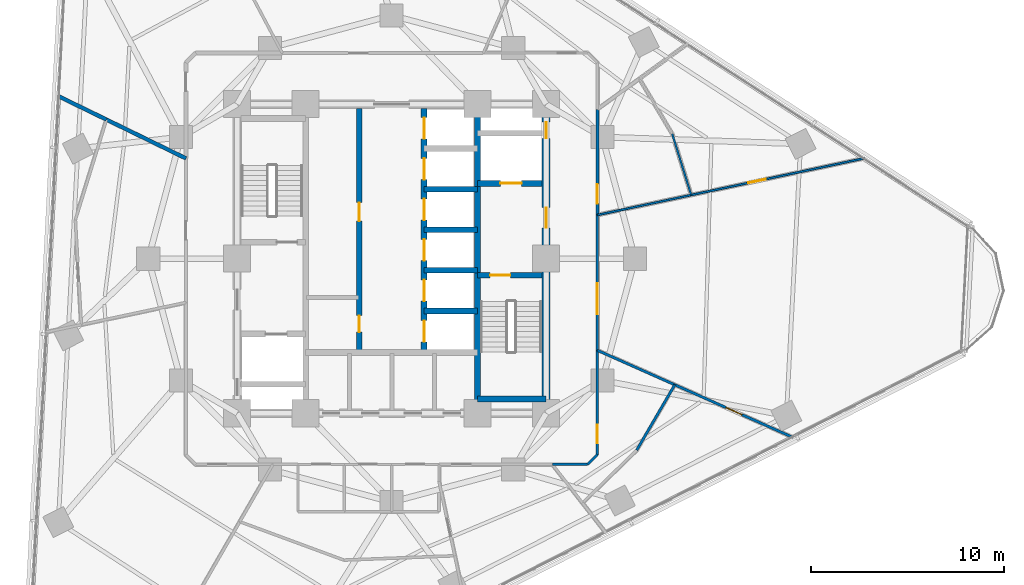
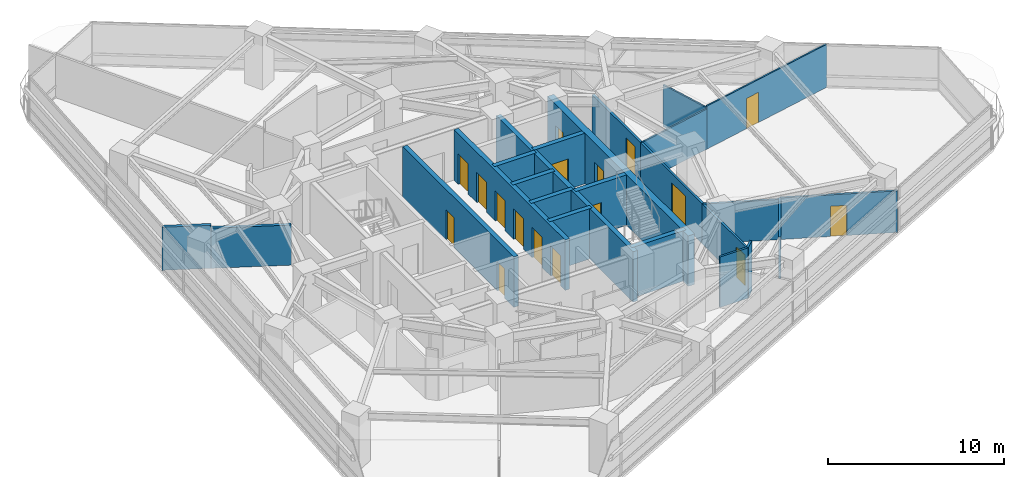
# One storey, part 9 of 14: 24 walls, 17 doors, 17 openings.
"""IFC4 building model written with IfcOpenShell, lengths in metres."""

from ifc_helpers import new_model, si_unit, direction, frame, frame_2d, origin, place, context, subcontext, project, spatial, rectangle, extrude, material, layer, layer_set, type_object, element, fill, save


model = new_model("IFC4")

# Units and contexts
model_context = context("Model", 3, precision=1e-05, world=origin(), true_north=direction((0.0, 1.0)))
body_context = subcontext(model_context, "Body", "Model", "MODEL_VIEW")
ifc_project = project(units=[si_unit("LENGTHUNIT", "METRE"), si_unit("AREAUNIT", "SQUARE_METRE"), si_unit("VOLUMEUNIT", "CUBIC_METRE"), si_unit("PLANEANGLEUNIT", "RADIAN"), si_unit("MASSUNIT", "GRAM", prefix="KILO")], contexts=[model_context])

# Site, building, storey
site_placement = place(None, origin())
site = spatial("IfcSite", under=ifc_project, at=site_placement, CompositionType="ELEMENT")
building_placement = place(site_placement, origin())
building = spatial("IfcBuilding", under=site, at=building_placement, Name="Terralouvre Media Tower", CompositionType="ELEMENT")
storey_placement = place(building_placement, frame((0.0, 0.0, 142.10009765625)))
storey = spatial("IfcBuildingStorey", under=building, at=storey_placement, Name="L36", CompositionType="ELEMENT", Elevation=142.10009765625)

# Wall
ifc_material_1 = material(Name="Concrete C50/60", Category="concrete")
ifc_layer_1 = layer(ifc_material_1, 0.300048828125, Name="Core Internal Shaft Wall CW-300")
ifc_layer_set_1 = layer_set([ifc_layer_1], Name="Concrete C50/60")
wall_type_1 = type_object("IfcWallType", Name="Core Internal Shaft Wall CW-300", PredefinedType="SHEAR", material=ifc_layer_set_1)
wall_1_placement = place(storey_placement, frame((4.449951171875, -7.7900390625, 0.0), z_axis=(0.0, 0.0, 1.0), x_axis=(0.0, 1.0, 0.0)))
element("IfcWall", 1, at=wall_1_placement, inside=storey, type_object=wall_type_1, Name="L36 Core Shaft Wall SPE", PredefinedType="SHEAR", context=body_context, shape_type="SweptSolid", body=[
    extrude(rectangle(XDim=15.580078125, YDim=0.300048828125, at=frame_2d((7.7900390625, 0.0))), origin(), (0.0, 0.0, 1.0), 3.5),
])

# Wall, opening, door
wall_2_placement = place(storey_placement, frame((4.449951171875, -0.85009765625, 0.0), z_axis=(0.0, 0.0, 1.0), x_axis=(1.0, 0.0, 0.0)))
wall_2 = element("IfcWall", 2, at=wall_2_placement, inside=storey, type_object=wall_type_1, Name="L36 Core Shaft Wall ST2D", PredefinedType="SHEAR", context=body_context, shape_type="SweptSolid", body=[
    extrude(rectangle(XDim=3.340087890625, YDim=0.300048828125, at=frame_2d((1.669921875, 0.0))), origin(), (0.0, 0.0, 1.0), 3.5),
])
opening_1_placement = place(wall_2_placement, frame((0.64990234375, 0.0, 0.0)))
opening_1 = element("IfcOpeningElement", 3, at=opening_1_placement, cuts=wall_2, Name="Opening FD-01-105X215", PredefinedType="OPENING", context=body_context, shape_type="SweptSolid", body=[
    extrude(rectangle(XDim=1.050048828125, YDim=2.14990234375, at=frame_2d((0.52490234375, 1.074951171875))), frame((0.0, 0.159912109375, 0.0), z_axis=(0.0, -1.0, 0.0), x_axis=(1.0, 0.0, 0.0)), (0.0, 0.0, 1.0), 0.320068359375),
])
ifc_material_2 = material(Name="Galvanised steel fire-resisting leaf", Category="steel")
door_type_1 = type_object("IfcDoorType", Name="Stair and Firefighting Lobby Fire Door FD-01 (1050x2150)", OperationType="NOTDEFINED", PredefinedType="DOOR", material=ifc_material_2)
door_1_placement = place(opening_1_placement, origin())
door_1 = element("IfcDoor", 4, at=door_1_placement, inside=storey, type_object=door_type_1, Name="L36 ST-02 Exit Stair Door", OperationType="SINGLE_SWING_RIGHT", OverallHeight=2.14990234375, OverallWidth=1.050048828125, PredefinedType="DOOR", context=body_context, shape_type="SweptSolid", body=[
    extrude(rectangle(XDim=1.050048828125, YDim=2.14990234375, at=frame_2d((0.52490234375, 1.074951171875))), frame((0.0, 0.02490234375, 0.0), z_axis=(0.0, -1.0, 0.0), x_axis=(1.0, 0.0, 0.0)), (0.0, 0.0, 1.0), 0.050048828125),
])
fill(opening_1, door_1)

# Wall
wall_3_placement = place(storey_placement, frame((4.449951171875, -7.260009765625, 0.0), z_axis=(0.0, 0.0, 1.0), x_axis=(1.0, 0.0, 0.0)))
element("IfcWall", 5, at=wall_3_placement, inside=storey, type_object=wall_type_1, Name="L36 Core Shaft Wall ST2F", PredefinedType="SHEAR", context=body_context, shape_type="SweptSolid", body=[
    extrude(rectangle(XDim=3.550048828125, YDim=0.300048828125, at=frame_2d((1.77490234375, 0.0))), origin(), (0.0, 0.0, 1.0), 3.5),
])

# Wall, opening, door
wall_4_placement = place(storey_placement, frame((4.449951171875, 3.89990234375, 0.0), z_axis=(0.0, 0.0, 1.0), x_axis=(1.0, 0.0, 0.0)))
wall_4 = element("IfcWall", 6, at=wall_4_placement, inside=storey, type_object=wall_type_1, Name="L36 Core Shaft Wall FF2S", PredefinedType="SHEAR", context=body_context, shape_type="SweptSolid", body=[
    extrude(rectangle(XDim=3.340087890625, YDim=0.300048828125, at=frame_2d((1.669921875, 0.0))), origin(), (0.0, 0.0, 1.0), 3.5),
])
opening_2_placement = place(wall_4_placement, frame((1.179931640625, 0.0, 0.0)))
opening_2 = element("IfcOpeningElement", 7, at=opening_2_placement, cuts=wall_4, Name="Opening LD-FF", PredefinedType="OPENING", context=body_context, shape_type="SweptSolid", body=[
    extrude(rectangle(XDim=1.10009765625, YDim=2.10009765625, at=frame_2d((0.550048828125, 1.050048828125))), frame((0.0, 0.159912109375, 0.0), z_axis=(0.0, -1.0, 0.0), x_axis=(1.0, 0.0, 0.0)), (0.0, 0.0, 1.0), 0.320068359375),
])
ifc_material_3 = material(Name="Stainless steel 316 handrail and balustrade", Category="steel")
door_type_2 = type_object("IfcDoorType", Name="Firefighting Lift Sliding Landing Door LD-FF", OperationType="SLIDING_TO_LEFT", PredefinedType="DOOR", material=ifc_material_3)
door_2_placement = place(opening_2_placement, origin())
door_2 = element("IfcDoor", 8, at=door_2_placement, inside=storey, type_object=door_type_2, Name="L36 Firefighting Lift FFL-02 Landing Door", OperationType="SLIDING_TO_LEFT", OverallHeight=2.10009765625, OverallWidth=1.10009765625, PredefinedType="DOOR", context=body_context, shape_type="SweptSolid", body=[
    extrude(rectangle(XDim=1.10009765625, YDim=2.10009765625, at=frame_2d((0.550048828125, 1.050048828125))), frame((0.0, 0.02490234375, 0.0), z_axis=(0.0, -1.0, 0.0), x_axis=(1.0, 0.0, 0.0)), (0.0, 0.0, 1.0), 0.050048828125),
])
fill(opening_2, door_2)

# Wall, openings, doors
wall_5_placement = place(storey_placement, frame((-1.679931640625, -4.85009765625, 0.0), z_axis=(0.0, 0.0, 1.0), x_axis=(0.0, 1.0, 0.0)))
wall_5 = element("IfcWall", 9, at=wall_5_placement, inside=storey, type_object=wall_type_1, Name="L36 Core Shaft Wall LBW", PredefinedType="SHEAR", context=body_context, shape_type="SweptSolid", body=[
    extrude(rectangle(XDim=12.64013671875, YDim=0.300048828125, at=frame_2d((6.320068359375, 0.0))), origin(), (0.0, 0.0, 1.0), 3.5),
])
opening_3_placement = place(wall_5_placement, frame((1.050048828125, 0.0, 0.0)))
opening_3 = element("IfcOpeningElement", 10, at=opening_3_placement, cuts=wall_5, Name="Opening TD-R1", PredefinedType="OPENING", context=body_context, shape_type="SweptSolid", body=[
    extrude(rectangle(XDim=0.85009765625, YDim=2.02001953125, at=frame_2d((0.425048828125, 1.010009765625))), frame((0.0, 0.159912109375, 0.0), z_axis=(0.0, -1.0, 0.0), x_axis=(1.0, 0.0, 0.0)), (0.0, 0.0, 1.0), 0.320068359375),
])
opening_4_placement = place(wall_5_placement, frame((6.800048828125, 0.0, 0.0)))
opening_4 = element("IfcOpeningElement", 11, at=opening_4_placement, cuts=wall_5, Name="Opening FD-02-95X210", PredefinedType="OPENING", context=body_context, shape_type="SweptSolid", body=[
    extrude(rectangle(XDim=0.949951171875, YDim=2.10009765625, at=frame_2d((0.47509765625, 1.050048828125))), frame((0.0, 0.159912109375, 0.0), z_axis=(0.0, -1.0, 0.0), x_axis=(1.0, 0.0, 0.0)), (0.0, 0.0, 1.0), 0.320068359375),
])
ifc_material_4 = material(Name="Galvanised steel fire-resisting leaf", Category="steel")
door_type_3 = type_object("IfcDoorType", Name="Plant and Riser Fire Door FD-02 (950x2100)", OperationType="NOTDEFINED", PredefinedType="DOOR", material=ifc_material_4)
door_3_placement = place(opening_4_placement, origin())
door_3 = element("IfcDoor", 12, at=door_3_placement, inside=storey, type_object=door_type_3, Name="L36 Core Patch Rack Plant Door", OperationType="SINGLE_SWING_RIGHT", OverallHeight=2.10009765625, OverallWidth=0.949951171875, PredefinedType="DOOR", context=body_context, shape_type="SweptSolid", body=[
    extrude(rectangle(XDim=0.949951171875, YDim=2.10009765625, at=frame_2d((0.47509765625, 1.050048828125))), frame((0.0, 0.02490234375, 0.0), z_axis=(0.0, -1.0, 0.0), x_axis=(1.0, 0.0, 0.0)), (0.0, 0.0, 1.0), 0.050048828125),
])
fill(opening_4, door_3)
ifc_material_5 = material(Name="Galvanised steel fire-resisting leaf", Category="steel")
door_type_4 = type_object("IfcDoorType", Name="Riser Inspection Access Trapdoor TD-R1", OperationType="NOTDEFINED", PredefinedType="TRAPDOOR", material=ifc_material_5)
door_4_placement = place(opening_3_placement, origin())
door_4 = element("IfcDoor", 13, at=door_4_placement, inside=storey, type_object=door_type_4, Name="L36 Core Cleaners Store Door", OperationType="SINGLE_SWING_LEFT", OverallHeight=2.02001953125, OverallWidth=0.85009765625, PredefinedType="TRAPDOOR", context=body_context, shape_type="SweptSolid", body=[
    extrude(rectangle(XDim=0.85009765625, YDim=2.02001953125, at=frame_2d((0.425048828125, 1.010009765625))), frame((0.0, 0.02490234375, 0.0), z_axis=(0.0, -1.0, 0.0), x_axis=(1.0, 0.0, 0.0)), (0.0, 0.0, 1.0), 0.050048828125),
])
fill(opening_3, door_4)

wall_6_placement = place(storey_placement, frame((1.679931640625, -4.85009765625, 0.0), z_axis=(0.0, 0.0, 1.0), x_axis=(0.0, 1.0, 0.0)))
wall_6 = element("IfcWall", 14, at=wall_6_placement, inside=storey, type_object=wall_type_1, Name="L36 Core Shaft Wall LBE", PredefinedType="SHEAR", context=body_context, shape_type="SweptSolid", body=[
    extrude(rectangle(XDim=12.64013671875, YDim=0.300048828125, at=frame_2d((6.320068359375, 0.0))), origin(), (0.0, 0.0, 1.0), 3.5),
])
opening_5_placement = place(wall_6_placement, frame((0.550048828125, 0.0, 0.0)))
opening_5 = element("IfcOpeningElement", 15, at=opening_5_placement, cuts=wall_6, Name="Opening LD-PL", PredefinedType="OPENING", context=body_context, shape_type="SweptSolid", body=[
    extrude(rectangle(XDim=1.10009765625, YDim=2.10009765625, at=frame_2d((0.550048828125, 1.050048828125))), frame((0.0, 0.159912109375, 0.0), z_axis=(0.0, -1.0, 0.0), x_axis=(1.0, 0.0, 0.0)), (0.0, 0.0, 1.0), 0.320068359375),
])
opening_6_placement = place(wall_6_placement, frame((2.64990234375, 0.0, 0.0)))
opening_6 = element("IfcOpeningElement", 16, at=opening_6_placement, cuts=wall_6, Name="Opening LD-PL", PredefinedType="OPENING", context=body_context, shape_type="SweptSolid", body=[
    extrude(rectangle(XDim=1.10009765625, YDim=2.10009765625, at=frame_2d((0.550048828125, 1.050048828125))), frame((0.0, 0.159912109375, 0.0), z_axis=(0.0, -1.0, 0.0), x_axis=(1.0, 0.0, 0.0)), (0.0, 0.0, 1.0), 0.320068359375),
])
opening_7_placement = place(wall_6_placement, frame((4.75, 0.0, 0.0)))
opening_7 = element("IfcOpeningElement", 17, at=opening_7_placement, cuts=wall_6, Name="Opening LD-PL", PredefinedType="OPENING", context=body_context, shape_type="SweptSolid", body=[
    extrude(rectangle(XDim=1.10009765625, YDim=2.10009765625, at=frame_2d((0.550048828125, 1.050048828125))), frame((0.0, 0.159912109375, 0.0), z_axis=(0.0, -1.0, 0.0), x_axis=(1.0, 0.0, 0.0)), (0.0, 0.0, 1.0), 0.320068359375),
])
opening_8_placement = place(wall_6_placement, frame((6.85009765625, 0.0, 0.0)))
opening_8 = element("IfcOpeningElement", 18, at=opening_8_placement, cuts=wall_6, Name="Opening LD-PL", PredefinedType="OPENING", context=body_context, shape_type="SweptSolid", body=[
    extrude(rectangle(XDim=1.10009765625, YDim=2.10009765625, at=frame_2d((0.550048828125, 1.050048828125))), frame((0.0, 0.159912109375, 0.0), z_axis=(0.0, -1.0, 0.0), x_axis=(1.0, 0.0, 0.0)), (0.0, 0.0, 1.0), 0.320068359375),
])
opening_9_placement = place(wall_6_placement, frame((8.949951171875, 0.0, 0.0)))
opening_9 = element("IfcOpeningElement", 19, at=opening_9_placement, cuts=wall_6, Name="Opening LD-PL", PredefinedType="OPENING", context=body_context, shape_type="SweptSolid", body=[
    extrude(rectangle(XDim=1.10009765625, YDim=2.10009765625, at=frame_2d((0.550048828125, 1.050048828125))), frame((0.0, 0.159912109375, 0.0), z_axis=(0.0, -1.0, 0.0), x_axis=(1.0, 0.0, 0.0)), (0.0, 0.0, 1.0), 0.320068359375),
])
opening_10_placement = place(wall_6_placement, frame((11.050048828125, 0.0, 0.0)))
opening_10 = element("IfcOpeningElement", 20, at=opening_10_placement, cuts=wall_6, Name="Opening LD-PL", PredefinedType="OPENING", context=body_context, shape_type="SweptSolid", body=[
    extrude(rectangle(XDim=1.10009765625, YDim=2.10009765625, at=frame_2d((0.550048828125, 1.050048828125))), frame((0.0, 0.159912109375, 0.0), z_axis=(0.0, -1.0, 0.0), x_axis=(1.0, 0.0, 0.0)), (0.0, 0.0, 1.0), 0.320068359375),
])
ifc_material_6 = material(Name="Stainless steel 316 handrail and balustrade", Category="steel")
door_type_5 = type_object("IfcDoorType", Name="Passenger Lift Sliding Landing Door LD-PL", OperationType="SLIDING_TO_LEFT", PredefinedType="DOOR", material=ifc_material_6)
door_5_placement = place(opening_5_placement, origin())
door_5 = element("IfcDoor", 21, at=door_5_placement, inside=storey, type_object=door_type_5, Name="L36 High-Rise Lift PL-H1 Landing Door", OperationType="SLIDING_TO_LEFT", OverallHeight=2.10009765625, OverallWidth=1.10009765625, PredefinedType="DOOR", context=body_context, shape_type="SweptSolid", body=[
    extrude(rectangle(XDim=1.10009765625, YDim=2.10009765625, at=frame_2d((0.550048828125, 1.050048828125))), frame((0.0, 0.02490234375, 0.0), z_axis=(0.0, -1.0, 0.0), x_axis=(1.0, 0.0, 0.0)), (0.0, 0.0, 1.0), 0.050048828125),
])
fill(opening_5, door_5)
door_6_placement = place(opening_6_placement, origin())
door_6 = element("IfcDoor", 22, at=door_6_placement, inside=storey, type_object=door_type_5, Name="L36 High-Rise Lift PL-H2 Landing Door", OperationType="SLIDING_TO_LEFT", OverallHeight=2.10009765625, OverallWidth=1.10009765625, PredefinedType="DOOR", context=body_context, shape_type="SweptSolid", body=[
    extrude(rectangle(XDim=1.10009765625, YDim=2.10009765625, at=frame_2d((0.550048828125, 1.050048828125))), frame((0.0, 0.02490234375, 0.0), z_axis=(0.0, -1.0, 0.0), x_axis=(1.0, 0.0, 0.0)), (0.0, 0.0, 1.0), 0.050048828125),
])
fill(opening_6, door_6)
door_7_placement = place(opening_7_placement, origin())
door_7 = element("IfcDoor", 23, at=door_7_placement, inside=storey, type_object=door_type_5, Name="L36 High-Rise Lift PL-H3 Landing Door", OperationType="SLIDING_TO_LEFT", OverallHeight=2.10009765625, OverallWidth=1.10009765625, PredefinedType="DOOR", context=body_context, shape_type="SweptSolid", body=[
    extrude(rectangle(XDim=1.10009765625, YDim=2.10009765625, at=frame_2d((0.550048828125, 1.050048828125))), frame((0.0, 0.02490234375, 0.0), z_axis=(0.0, -1.0, 0.0), x_axis=(1.0, 0.0, 0.0)), (0.0, 0.0, 1.0), 0.050048828125),
])
fill(opening_7, door_7)
door_8_placement = place(opening_8_placement, origin())
door_8 = element("IfcDoor", 24, at=door_8_placement, inside=storey, type_object=door_type_5, Name="L36 Mid-Rise Lift PL-M1 Landing Door", OperationType="SLIDING_TO_LEFT", OverallHeight=2.10009765625, OverallWidth=1.10009765625, PredefinedType="DOOR", context=body_context, shape_type="SweptSolid", body=[
    extrude(rectangle(XDim=1.10009765625, YDim=2.10009765625, at=frame_2d((0.550048828125, 1.050048828125))), frame((0.0, 0.02490234375, 0.0), z_axis=(0.0, -1.0, 0.0), x_axis=(1.0, 0.0, 0.0)), (0.0, 0.0, 1.0), 0.050048828125),
])
fill(opening_8, door_8)
door_9_placement = place(opening_9_placement, origin())
door_9 = element("IfcDoor", 25, at=door_9_placement, inside=storey, type_object=door_type_5, Name="L36 Mid-Rise Lift PL-M2 Landing Door", OperationType="SLIDING_TO_LEFT", OverallHeight=2.10009765625, OverallWidth=1.10009765625, PredefinedType="DOOR", context=body_context, shape_type="SweptSolid", body=[
    extrude(rectangle(XDim=1.10009765625, YDim=2.10009765625, at=frame_2d((0.550048828125, 1.050048828125))), frame((0.0, 0.02490234375, 0.0), z_axis=(0.0, -1.0, 0.0), x_axis=(1.0, 0.0, 0.0)), (0.0, 0.0, 1.0), 0.050048828125),
])
fill(opening_9, door_9)
door_10_placement = place(opening_10_placement, origin())
door_10 = element("IfcDoor", 26, at=door_10_placement, inside=storey, type_object=door_type_5, Name="L36 Mid-Rise Lift PL-M3 Landing Door", OperationType="SLIDING_TO_LEFT", OverallHeight=2.10009765625, OverallWidth=1.10009765625, PredefinedType="DOOR", context=body_context, shape_type="SweptSolid", body=[
    extrude(rectangle(XDim=1.10009765625, YDim=2.10009765625, at=frame_2d((0.550048828125, 1.050048828125))), frame((0.0, 0.02490234375, 0.0), z_axis=(0.0, -1.0, 0.0), x_axis=(1.0, 0.0, 0.0)), (0.0, 0.0, 1.0), 0.050048828125),
])
fill(opening_10, door_10)

# Walls
for number, where, z_axis, x_axis, name in (
    (27, (1.679931640625, 1.5, 0.0), (0.0, 0.0, 1.0), (1.0, 0.0, 0.0), "L36 Core Shaft Wall PLMD0"),
    (28, (1.679931640625, 3.60009765625, 0.0), (0.0, 0.0, 1.0), (1.0, 0.0, 0.0), "L36 Core Shaft Wall PLMD1"),
    (29, (1.679931640625, -2.699951171875, 0.0), (0.0, 0.0, 1.0), (1.0, 0.0, 0.0), "L36 Core Shaft Wall PLHD1"),
    (30, (1.679931640625, -0.60009765625, 0.0), (0.0, 0.0, 1.0), (1.0, 0.0, 0.0), "L36 Core Shaft Wall PLHD2"),
):
    element("IfcWall", number, at=place(storey_placement, frame(where, z_axis=z_axis, x_axis=x_axis)), inside=storey, type_object=wall_type_1, Name=name, PredefinedType="SHEAR", context=body_context, shape_type="SweptSolid", body=[
        extrude(rectangle(XDim=2.77001953125, YDim=0.300048828125, at=frame_2d((1.385009765625, 0.0))), origin(), (0.0, 0.0, 1.0), 3.5),
    ])

# Wall, openings, doors
ifc_material_7 = material(Name="Concrete C60/75", Category="concrete")
ifc_layer_2 = layer(ifc_material_7, 0.419921875, Name="Core Reinforced Concrete Shear Wall CW-420")
ifc_layer_set_2 = layer_set([ifc_layer_2], Name="Concrete C60/75")
wall_type_2 = type_object("IfcWallType", Name="Core Reinforced Concrete Shear Wall CW-420", PredefinedType="SHEAR", material=ifc_layer_set_2)
wall_7_placement = place(storey_placement, frame((8.0, -8.0, 0.0), z_axis=(0.0, 0.0, 1.0), x_axis=(0.0, 1.0, 0.0)))
wall_7 = element("IfcWall", 31, at=wall_7_placement, inside=storey, type_object=wall_type_2, Name="L36 E Core Shear Wall", PredefinedType="SHEAR", context=body_context, shape_type="SweptSolid", body=[
    extrude(rectangle(XDim=16.0, YDim=0.419921875, at=frame_2d((8.0, 0.0))), origin(), (0.0, 0.0, 1.0), 3.5),
])
opening_11_placement = place(wall_7_placement, frame((9.60009765625, 0.0, 0.0)))
opening_11 = element("IfcOpeningElement", 32, at=opening_11_placement, cuts=wall_7, Name="Opening FD-01-105X215", PredefinedType="OPENING", context=body_context, shape_type="SweptSolid", body=[
    extrude(rectangle(XDim=1.050048828125, YDim=2.14990234375, at=frame_2d((0.52490234375, 1.074951171875))), frame((0.0, 0.219970703125, 0.0), z_axis=(0.0, -1.0, 0.0), x_axis=(1.0, 0.0, 0.0)), (0.0, 0.0, 1.0), 0.43994140625),
])
opening_12_placement = place(wall_7_placement, frame((14.228515625, 0.0, 0.0)))
opening_12 = element("IfcOpeningElement", 33, at=opening_12_placement, cuts=wall_7, Name="Opening TD-R1", PredefinedType="OPENING", context=body_context, shape_type="SweptSolid", body=[
    extrude(rectangle(XDim=0.85009765625, YDim=2.02001953125, at=frame_2d((0.425048828125, 1.010009765625))), frame((0.0, 0.219970703125, 0.0), z_axis=(0.0, -1.0, 0.0), x_axis=(1.0, 0.0, 0.0)), (0.0, 0.0, 1.0), 0.43994140625),
])
door_11_placement = place(opening_12_placement, origin())
door_11 = element("IfcDoor", 34, at=door_11_placement, inside=storey, type_object=door_type_4, Name="L36 East Comms Riser Access Trapdoor", OperationType="SINGLE_SWING_RIGHT", OverallHeight=2.02001953125, OverallWidth=0.85009765625, PredefinedType="TRAPDOOR", context=body_context, shape_type="SweptSolid", body=[
    extrude(rectangle(XDim=0.85009765625, YDim=2.02001953125, at=frame_2d((0.425048828125, 1.010009765625))), frame((0.0, 0.02490234375, 0.0), z_axis=(0.0, -1.0, 0.0), x_axis=(1.0, 0.0, 0.0)), (0.0, 0.0, 1.0), 0.050048828125),
])
fill(opening_12, door_11)
door_12_placement = place(opening_11_placement, origin())
door_12 = element("IfcDoor", 35, at=door_12_placement, inside=storey, type_object=door_type_1, Name="L36 East Firefighting Lobby Entry Door", OperationType="SINGLE_SWING_LEFT", OverallHeight=2.14990234375, OverallWidth=1.050048828125, PredefinedType="DOOR", context=body_context, shape_type="SweptSolid", body=[
    extrude(rectangle(XDim=1.050048828125, YDim=2.14990234375, at=frame_2d((0.52490234375, 1.074951171875))), frame((0.0, 0.02490234375, 0.0), z_axis=(0.0, -1.0, 0.0), x_axis=(1.0, 0.0, 0.0)), (0.0, 0.0, 1.0), 0.050048828125),
])
fill(opening_11, door_12)

# Wall, opening, door
ifc_material_8 = material(Name="Low-iron laminated double glazing with solar-control coating", Category="glass")
ifc_layer_3 = layer(ifc_material_8, 0.10009765625, Name="Demountable Glazed Office Partition PT-GL100")
ifc_layer_set_3 = layer_set([ifc_layer_3], Name="Low-iron laminated double glazing with solar-control coating")
wall_type_3 = type_object("IfcWallType", Name="Demountable Glazed Office Partition PT-GL100", PredefinedType="MOVABLE", material=ifc_layer_set_3)
wall_8_placement = place(storey_placement, frame((24.4736328125, 5.201904296875, 0.0), z_axis=(0.0, 0.0, 1.0), x_axis=(-0.978158512366, -0.207860348999, 0.0)))
wall_8 = element("IfcWall", 36, at=wall_8_placement, inside=storey, type_object=wall_type_3, Name="L36 Interior Partition 044", PredefinedType="MOVABLE", context=body_context, shape_type="SweptSolid", body=[
    extrude(rectangle(XDim=9.163818359375, YDim=0.10009765625, at=frame_2d((4.58203125, 0.0))), origin(), (0.0, 0.0, 1.0), 2.98486328125),
])
opening_13_placement = place(wall_8_placement, frame((5.221435546875, 0.0, 0.0)))
opening_13 = element("IfcOpeningElement", 37, at=opening_13_placement, cuts=wall_8, Name="Opening ID-03-92X210", PredefinedType="OPENING", context=body_context, shape_type="SweptSolid", body=[
    extrude(rectangle(XDim=0.919921875, YDim=2.10009765625, at=frame_2d((0.4599609375, 1.050048828125))), frame((0.0, 0.06005859375, 0.0), z_axis=(0.0, -1.0, 0.0), x_axis=(1.0, 0.0, 0.0)), (0.0, 0.0, 1.0), 0.1201171875),
])
ifc_material_9 = material(Name="Engineered hardwood acoustic timber leaf", Category="wood")
door_type_6 = type_object("IfcDoorType", Name="Accessible Restroom and Suite Door ID-03 (920x2100)", OperationType="NOTDEFINED", PredefinedType="DOOR", material=ifc_material_9)
door_13_placement = place(opening_13_placement, origin())
door_13 = element("IfcDoor", 38, at=door_13_placement, inside=storey, type_object=door_type_6, Name="L36 Editorial Huddle Room 8 Door", OperationType="SINGLE_SWING_LEFT", OverallHeight=2.10009765625, OverallWidth=0.919921875, PredefinedType="DOOR", context=body_context, shape_type="SweptSolid", body=[
    extrude(rectangle(XDim=0.919921875, YDim=2.10009765625, at=frame_2d((0.4599609375, 1.050048828125))), frame((0.0, 0.02490234375, 0.0), z_axis=(0.0, -1.0, 0.0), x_axis=(1.0, 0.0, 0.0)), (0.0, 0.0, 1.0), 0.050048828125),
])
fill(opening_13, door_13)

# Walls
wall_9_placement = place(storey_placement, frame((15.510009765625, 3.297119140625, 0.0), z_axis=(0.0, 0.0, 1.0), x_axis=(-0.97814123971, -0.207941614832, 0.0)))
element("IfcWall", 39, at=wall_9_placement, inside=storey, type_object=wall_type_3, Name="L36 Interior Partition 045", PredefinedType="MOVABLE", context=body_context, shape_type="SweptSolid", body=[
    extrude(rectangle(XDim=4.96875, YDim=0.10009765625, at=frame_2d((2.484375, 0.0))), origin(), (0.0, 0.0, 1.0), 2.784912109375),
])
wall_10_placement = place(storey_placement, frame((14.52490234375, 6.467041015625, 0.0), z_axis=(0.0, 0.0, 1.0), x_axis=(0.296767013694, -0.954949914699, 0.0)))
element("IfcWall", 40, at=wall_10_placement, inside=storey, type_object=wall_type_3, Name="L36 Interior Partition 047", PredefinedType="MOVABLE", context=body_context, shape_type="SweptSolid", body=[
    extrude(rectangle(XDim=3.319580078125, YDim=0.10009765625, at=frame_2d((1.65966796875, 0.0))), origin(), (0.0, 0.0, 1.0), 2.885009765625),
])
ifc_material_10 = material(Name="Fire-rated gypsum board drywall partition")
ifc_layer_4 = layer(ifc_material_10, 0.199951171875, Name="Fire-Rated Shaft and Lobby Partition FW-200")
ifc_layer_set_4 = layer_set([ifc_layer_4], Name="Fire-rated gypsum board drywall partition")
wall_type_4 = type_object("IfcWallType", Name="Fire-Rated Shaft and Lobby Partition FW-200", PredefinedType="SOLIDWALL", material=ifc_layer_set_4)
wall_11_placement = place(storey_placement, frame((-17.274658203125, 8.4248046875, 0.0), z_axis=(0.0, 0.0, 1.0), x_axis=(0.898962499014, -0.438025598985, 0.0)))
element("IfcWall", 41, at=wall_11_placement, inside=storey, type_object=wall_type_4, Name="L36 Interior Partition 057", PredefinedType="SOLIDWALL", context=body_context, shape_type="SweptSolid", body=[
    extrude(rectangle(XDim=2.791748046875, YDim=0.199951171875, at=frame_2d((1.39599609375, 0.0))), origin(), (0.0, 0.0, 1.0), 2.98486328125),
])
wall_12_placement = place(storey_placement, frame((-14.764892578125, 7.201904296875, 0.0), z_axis=(0.0, 0.0, 1.0), x_axis=(0.898725395048, -0.438511874748, 0.0)))
element("IfcWall", 42, at=wall_12_placement, inside=storey, type_object=wall_type_4, Name="L36 Interior Partition 058", PredefinedType="SOLIDWALL", context=body_context, shape_type="SweptSolid", body=[
    extrude(rectangle(XDim=4.57861328125, YDim=0.199951171875, at=frame_2d((2.289306640625, 0.0))), origin(), (0.0, 0.0, 1.0), 2.784912109375),
])
ifc_material_11 = material(Name="Fire-rated gypsum board drywall partition")
ifc_layer_5 = layer(ifc_material_11, 0.135009765625, Name="Newsroom Acoustic Partition PT-135")
ifc_layer_set_5 = layer_set([ifc_layer_5], Name="Fire-rated gypsum board drywall partition")
wall_type_5 = type_object("IfcWallType", Name="Newsroom Acoustic Partition PT-135", PredefinedType="PARTITIONING", material=ifc_layer_set_5)
wall_13_placement = place(storey_placement, frame((8.321044921875, -10.64990234375, 0.0), z_axis=(0.0, 0.0, 1.0), x_axis=(1.0, 0.0, 0.0)))
element("IfcWall", 43, at=wall_13_placement, inside=storey, type_object=wall_type_5, Name="L36 Interior Partition 009", PredefinedType="PARTITIONING", context=body_context, shape_type="SweptSolid", body=[
    extrude(rectangle(XDim=1.828857421875, YDim=0.135009765625, at=frame_2d((0.91455078125, 0.0))), origin(), (0.0, 0.0, 1.0), 3.5),
])
wall_14_placement = place(storey_placement, frame((10.14990234375, -10.64990234375, 0.0), z_axis=(0.0, 0.0, 1.0), x_axis=(0.707106781187, 0.707106781187, 0.0)))
element("IfcWall", 44, at=wall_14_placement, inside=storey, type_object=wall_type_5, Name="L36 Interior Partition 010", PredefinedType="PARTITIONING", context=body_context, shape_type="SweptSolid", body=[
    extrude(rectangle(XDim=0.70703125, YDim=0.135009765625, at=frame_2d((0.353515625, 0.0))), origin(), (0.0, 0.0, 1.0), 3.5),
])

# Wall, opening, door
wall_15_placement = place(storey_placement, frame((10.64990234375, -10.14990234375, 0.0), z_axis=(0.0, 0.0, 1.0), x_axis=(0.0, 1.0, 0.0)))
wall_15 = element("IfcWall", 45, at=wall_15_placement, inside=storey, type_object=wall_type_5, Name="L36 Interior Partition 011", PredefinedType="PARTITIONING", context=body_context, shape_type="SweptSolid", body=[
    extrude(rectangle(XDim=5.407958984375, YDim=0.135009765625, at=frame_2d((2.7041015625, 0.0))), origin(), (0.0, 0.0, 1.0), 2.784912109375),
])
opening_14_placement = place(wall_15_placement, frame((0.606689453125, 0.0, 0.0)))
opening_14 = element("IfcOpeningElement", 46, at=opening_14_placement, cuts=wall_15, Name="Opening ID-02-95X210", PredefinedType="OPENING", context=body_context, shape_type="SweptSolid", body=[
    extrude(rectangle(XDim=0.949951171875, YDim=2.10009765625, at=frame_2d((0.47509765625, 1.050048828125))), frame((0.0, 0.077392578125, 0.0), z_axis=(0.0, -1.0, 0.0), x_axis=(1.0, 0.0, 0.0)), (0.0, 0.0, 1.0), 0.155029296875),
])
ifc_material_12 = material(Name="Engineered hardwood acoustic timber leaf", Category="wood")
door_type_7 = type_object("IfcDoorType", Name="Office and Meeting Room Door ID-02 (950x2100)", OperationType="NOTDEFINED", PredefinedType="DOOR", material=ifc_material_12)
door_14_placement = place(opening_14_placement, origin())
door_14 = element("IfcDoor", 47, at=door_14_placement, inside=storey, type_object=door_type_7, Name="L36 Assignment Editors Workspace 5 Door", OperationType="SINGLE_SWING_LEFT", OverallHeight=2.10009765625, OverallWidth=0.949951171875, PredefinedType="DOOR", context=body_context, shape_type="SweptSolid", body=[
    extrude(rectangle(XDim=0.949951171875, YDim=2.10009765625, at=frame_2d((0.47509765625, 1.050048828125))), frame((0.0, 0.02490234375, 0.0), z_axis=(0.0, -1.0, 0.0), x_axis=(1.0, 0.0, 0.0)), (0.0, 0.0, 1.0), 0.050048828125),
])
fill(opening_14, door_14)

wall_16_placement = place(storey_placement, frame((10.64990234375, -4.741943359375, 0.0), z_axis=(0.0, 0.0, 1.0), x_axis=(0.0, 1.0, 0.0)))
wall_16 = element("IfcWall", 48, at=wall_16_placement, inside=storey, type_object=wall_type_5, Name="L36 Interior Partition 012", PredefinedType="PARTITIONING", context=body_context, shape_type="SweptSolid", body=[
    extrude(rectangle(XDim=7.005859375, YDim=0.135009765625, at=frame_2d((3.5029296875, 0.0))), origin(), (0.0, 0.0, 1.0), 2.784912109375),
])
opening_15_placement = place(wall_16_placement, frame((1.8623046875, 0.0, 0.0)))
opening_15 = element("IfcOpeningElement", 49, at=opening_15_placement, cuts=wall_16, Name="Opening ID-04-160X215", PredefinedType="OPENING", context=body_context, shape_type="SweptSolid", body=[
    extrude(rectangle(XDim=1.60009765625, YDim=2.14990234375, at=frame_2d((0.800048828125, 1.074951171875))), frame((0.0, 0.077392578125, 0.0), z_axis=(0.0, -1.0, 0.0), x_axis=(1.0, 0.0, 0.0)), (0.0, 0.0, 1.0), 0.155029296875),
])
ifc_material_13 = material(Name="Engineered hardwood acoustic timber leaf", Category="wood")
door_type_8 = type_object("IfcDoorType", Name="Conference Double Acoustic Door ID-04 (1600x2150)", OperationType="DOUBLE_DOOR_SINGLE_SWING", PredefinedType="DOOR", material=ifc_material_13)
door_15_placement = place(opening_15_placement, origin())
door_15 = element("IfcDoor", 50, at=door_15_placement, inside=storey, type_object=door_type_8, Name="L36 Morning Rundown Briefing Room 7 Door", OperationType="DOUBLE_DOOR_SINGLE_SWING", OverallHeight=2.14990234375, OverallWidth=1.60009765625, PredefinedType="DOOR", context=body_context, shape_type="SweptSolid", body=[
    extrude(rectangle(XDim=1.60009765625, YDim=2.14990234375, at=frame_2d((0.800048828125, 1.074951171875))), frame((0.0, 0.02490234375, 0.0), z_axis=(0.0, -1.0, 0.0), x_axis=(1.0, 0.0, 0.0)), (0.0, 0.0, 1.0), 0.050048828125),
])
fill(opening_15, door_15)

# Walls
wall_17_placement = place(storey_placement, frame((12.68701171875, -9.912109375, 0.0), z_axis=(0.0, 0.0, 1.0), x_axis=(0.503735433439, 0.863857982019, 0.0)))
element("IfcWall", 51, at=wall_17_placement, inside=storey, type_object=wall_type_5, Name="L36 Interior Partition 041", PredefinedType="PARTITIONING", context=body_context, shape_type="SweptSolid", body=[
    extrude(rectangle(XDim=3.91845703125, YDim=0.135009765625, at=frame_2d((1.959228515625, 0.0))), origin(), (0.0, 0.0, 1.0), 2.885009765625),
])
wall_18_placement = place(storey_placement, frame((14.660888671875, -6.527099609375, 0.0), z_axis=(0.0, 0.0, 1.0), x_axis=(-0.913600455061, 0.40661309437, 0.0)))
element("IfcWall", 52, at=wall_18_placement, inside=storey, type_object=wall_type_5, Name="L36 Interior Partition 042", PredefinedType="PARTITIONING", context=body_context, shape_type="SweptSolid", body=[
    extrude(rectangle(XDim=4.390380859375, YDim=0.135009765625, at=frame_2d((2.1953125, 0.0))), origin(), (0.0, 0.0, 1.0), 2.784912109375),
])

# Wall, opening, door
wall_19_placement = place(storey_placement, frame((20.79638671875, -9.259765625, 0.0), z_axis=(0.0, 0.0, 1.0), x_axis=(-0.913491992788, 0.406856705872, 0.0)))
wall_19 = element("IfcWall", 53, at=wall_19_placement, inside=storey, type_object=wall_type_5, Name="L36 Interior Partition 043", PredefinedType="PARTITIONING", context=body_context, shape_type="SweptSolid", body=[
    extrude(rectangle(XDim=6.716552734375, YDim=0.135009765625, at=frame_2d((3.3583984375, 0.0))), origin(), (0.0, 0.0, 1.0), 2.885009765625),
])
opening_16_placement = place(wall_19_placement, frame((2.898193359375, 0.0, 0.0)))
opening_16 = element("IfcOpeningElement", 54, at=opening_16_placement, cuts=wall_19, Name="Opening ID-03-92X210", PredefinedType="OPENING", context=body_context, shape_type="SweptSolid", body=[
    extrude(rectangle(XDim=0.919921875, YDim=2.10009765625, at=frame_2d((0.4599609375, 1.050048828125))), frame((0.0, 0.077392578125, 0.0), z_axis=(0.0, -1.0, 0.0), x_axis=(1.0, 0.0, 0.0)), (0.0, 0.0, 1.0), 0.155029296875),
])
door_16_placement = place(opening_16_placement, origin())
door_16 = element("IfcDoor", 55, at=door_16_placement, inside=storey, type_object=door_type_6, Name="L36 Foreign Copy Desk Office 6 Door", OperationType="SINGLE_SWING_RIGHT", OverallHeight=2.10009765625, OverallWidth=0.919921875, PredefinedType="DOOR", context=body_context, shape_type="SweptSolid", body=[
    extrude(rectangle(XDim=0.919921875, YDim=2.10009765625, at=frame_2d((0.4599609375, 1.050048828125))), frame((0.0, 0.02490234375, 0.0), z_axis=(0.0, -1.0, 0.0), x_axis=(1.0, 0.0, 0.0)), (0.0, 0.0, 1.0), 0.050048828125),
])
fill(opening_16, door_16)

ifc_material_14 = material(Name="Fire-rated gypsum board drywall partition")
ifc_layer_6 = layer(ifc_material_14, 0.159912109375, Name="Studio Acoustic Rated Partition PT-160")
ifc_layer_set_6 = layer_set([ifc_layer_6], Name="Fire-rated gypsum board drywall partition")
wall_type_6 = type_object("IfcWallType", Name="Studio Acoustic Rated Partition PT-160", PredefinedType="PARTITIONING", material=ifc_layer_set_6)
wall_20_placement = place(storey_placement, frame((10.64990234375, 2.263916015625, 0.0), z_axis=(0.0, 0.0, 1.0), x_axis=(0.0, 1.0, 0.0)))
wall_20 = element("IfcWall", 56, at=wall_20_placement, inside=storey, type_object=wall_type_6, Name="L36 Interior Partition 013", PredefinedType="PARTITIONING", context=body_context, shape_type="SweptSolid", body=[
    extrude(rectangle(XDim=5.47412109375, YDim=0.159912109375, at=frame_2d((2.737060546875, 0.0))), origin(), (0.0, 0.0, 1.0), 2.784912109375),
])
opening_17_placement = place(wall_20_placement, frame((0.5947265625, 0.0, 0.0)))
opening_17 = element("IfcOpeningElement", 57, at=opening_17_placement, cuts=wall_20, Name="Opening ID-01-100X215", PredefinedType="OPENING", context=body_context, shape_type="SweptSolid", body=[
    extrude(rectangle(XDim=1.0, YDim=2.14990234375, at=frame_2d((0.5, 1.074951171875))), frame((0.0, 0.08984375, 0.0), z_axis=(0.0, -1.0, 0.0), x_axis=(1.0, 0.0, 0.0)), (0.0, 0.0, 1.0), 0.179931640625),
])
ifc_material_15 = material(Name="Engineered hardwood acoustic timber leaf", Category="wood")
door_type_9 = type_object("IfcDoorType", Name="Broadcast Studio Acoustic Single Door ID-01 (1000x2150)", OperationType="NOTDEFINED", PredefinedType="DOOR", material=ifc_material_15)
door_17_placement = place(opening_17_placement, origin())
door_17 = element("IfcDoor", 58, at=door_17_placement, inside=storey, type_object=door_type_9, Name="L36 Live Feed Master Control Room 9 Door", OperationType="SINGLE_SWING_LEFT", OverallHeight=2.14990234375, OverallWidth=1.0, PredefinedType="DOOR", context=body_context, shape_type="SweptSolid", body=[
    extrude(rectangle(XDim=1.0, YDim=2.14990234375, at=frame_2d((0.5, 1.074951171875))), frame((0.0, 0.02490234375, 0.0), z_axis=(0.0, -1.0, 0.0), x_axis=(1.0, 0.0, 0.0)), (0.0, 0.0, 1.0), 0.050048828125),
])
fill(opening_17, door_17)

save(model, "model.ifc")
